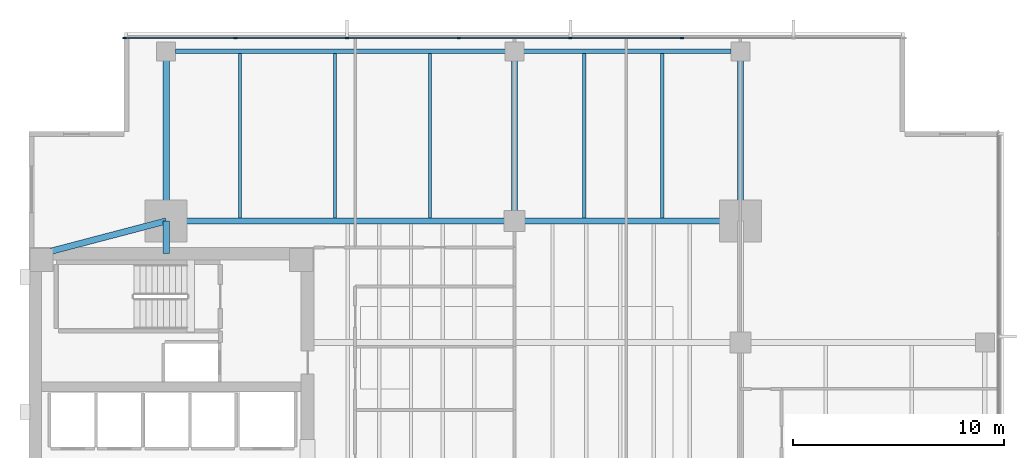
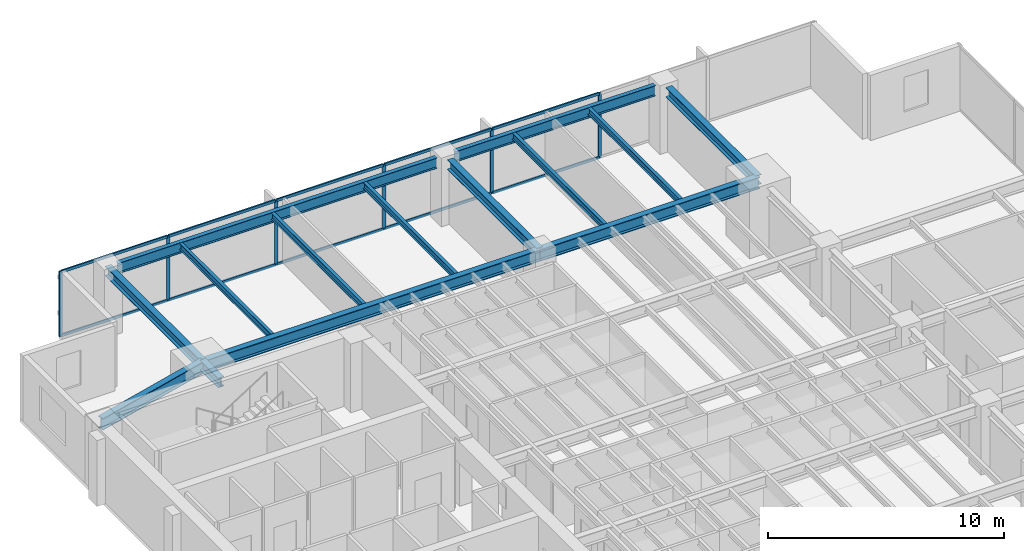
# One storey, part 5 of 14: 16 members, 14 beams, 1 element without a shape of its own.
"""IFC4 building model written with IfcOpenShell, lengths in metres."""

from ifc_helpers import new_model, si_unit, direction, frame, origin, origin_2d, place, context, subcontext, project, spatial, rectangle, i_section, extrude, material, layer, layer_set, material_profile, profile_set, type_object, element, aggregate, save


model = new_model("IFC4")

# Units and contexts
model_context = context("Model", 3, precision=1e-05, world=origin(), true_north=direction((0.0, 1.0)))
body_context = subcontext(model_context, "Body", "Model", "MODEL_VIEW")
ifc_project = project(units=[si_unit("LENGTHUNIT", "METRE"), si_unit("AREAUNIT", "SQUARE_METRE"), si_unit("VOLUMEUNIT", "CUBIC_METRE"), si_unit("PLANEANGLEUNIT", "RADIAN"), si_unit("MASSUNIT", "GRAM", prefix="KILO")], contexts=[model_context])

# Site, building, storey
site_placement = place(None, origin())
site = spatial("IfcSite", under=ifc_project, at=site_placement, CompositionType="ELEMENT")
building_placement = place(site_placement, origin())
building = spatial("IfcBuilding", under=site, at=building_placement, Name="Kinhvarn Gate Tower", CompositionType="ELEMENT")
storey_placement = place(building_placement, frame((0.0, 0.0, 166.14990234375)))
storey = spatial("IfcBuildingStorey", under=building, at=storey_placement, Name="L44", CompositionType="ELEMENT", Elevation=166.14990234375)

# Curtain wall, members
ifc_material_1 = material(Name="Anodised aluminium AW-6063", Category="aluminium")
ifc_layer = layer(ifc_material_1, 0.179931640625)
ifc_layer_set = layer_set([ifc_layer], Name="Anodised aluminium AW-6063")
curtain_wall_type = type_object("IfcCurtainWallType", Name="CW-SYS-3", PredefinedType="NOTDEFINED", material=ifc_layer_set)
curtain_wall_placement = place(storey_placement, origin())
curtain_wall = element("IfcCurtainWall", 1, at=curtain_wall_placement, inside=storey, type_object=curtain_wall_type, Name="Curtain Wall CW3 (L44)", PredefinedType="NOTDEFINED")
ifc_material_profile_1 = material_profile(ifc_material_1, rectangle(XDim=0.06494140625, YDim=0.159912109375, at=origin_2d()), Name="ALU 65x160")
ifc_profile_set_1 = profile_set([ifc_material_profile_1], Name="Anodised aluminium AW-6063")
member_type_1 = type_object("IfcMemberType", Name="CW-MUL-160", PredefinedType="MULLION", material=ifc_profile_set_1)
member_1_placement = place(storey_placement, frame((35.428466796875, 46.409912109375, 0.0), z_axis=(0.0, 0.0, 1.0), x_axis=(0.0, -1.0, 0.0)))
member_1 = element("IfcMember", 2, at=member_1_placement, type_object=member_type_1, Name="CW3 mullion 3", PredefinedType="MULLION", context=body_context, shape_type="SweptSolid", body=[
    extrude(rectangle(XDim=0.06494140625, YDim=0.159912109375, at=origin_2d()), origin(), (0.0, 0.0, 1.0), 3.3701171875),
])
member_2_placement = place(storey_placement, frame((30.142822265625, 46.409912109375, 0.0), z_axis=(0.0, 0.0, 1.0), x_axis=(0.0, -1.0, 0.0)))
member_2 = element("IfcMember", 3, at=member_2_placement, type_object=member_type_1, Name="CW3 mullion 4", PredefinedType="MULLION", context=body_context, shape_type="SweptSolid", body=[
    extrude(rectangle(XDim=0.06494140625, YDim=0.159912109375, at=origin_2d()), origin(), (0.0, 0.0, 1.0), 3.3701171875),
])
member_3_placement = place(storey_placement, frame((24.857177734375, 46.409912109375, 0.0), z_axis=(0.0, 0.0, 1.0), x_axis=(0.0, -1.0, 0.0)))
member_3 = element("IfcMember", 4, at=member_3_placement, type_object=member_type_1, Name="CW3 mullion 5", PredefinedType="MULLION", context=body_context, shape_type="SweptSolid", body=[
    extrude(rectangle(XDim=0.06494140625, YDim=0.159912109375, at=origin_2d()), origin(), (0.0, 0.0, 1.0), 3.3701171875),
])
member_4_placement = place(storey_placement, frame((19.571533203125, 46.409912109375, 0.0), z_axis=(0.0, 0.0, 1.0), x_axis=(0.0, -1.0, 0.0)))
member_4 = element("IfcMember", 5, at=member_4_placement, type_object=member_type_1, Name="CW3 mullion 6", PredefinedType="MULLION", context=body_context, shape_type="SweptSolid", body=[
    extrude(rectangle(XDim=0.06494140625, YDim=0.159912109375, at=origin_2d()), origin(), (0.0, 0.0, 1.0), 3.3701171875),
])
member_5_placement = place(storey_placement, frame((14.28564453125, 46.409912109375, 0.0), z_axis=(0.0, 0.0, 1.0), x_axis=(0.0, -1.0, 0.0)))
member_5 = element("IfcMember", 6, at=member_5_placement, type_object=member_type_1, Name="CW3 mullion 7", PredefinedType="MULLION", context=body_context, shape_type="SweptSolid", body=[
    extrude(rectangle(XDim=0.06494140625, YDim=0.159912109375, at=origin_2d()), origin(), (0.0, 0.0, 1.0), 3.3701171875),
])
member_6_placement = place(storey_placement, frame((9.032470703125, 46.409912109375, 0.0), z_axis=(0.0, 0.0, 1.0), x_axis=(0.0, -1.0, 0.0)))
member_6 = element("IfcMember", 7, at=member_6_placement, type_object=member_type_1, Name="CW3 mullion 8", PredefinedType="MULLION", context=body_context, shape_type="SweptSolid", body=[
    extrude(rectangle(XDim=0.06494140625, YDim=0.159912109375, at=origin_2d()), origin(), (0.0, 0.0, 1.0), 3.3701171875),
])
ifc_material_profile_2 = material_profile(ifc_material_1, rectangle(XDim=0.070068359375, YDim=0.139892578125, at=origin_2d()), Name="ALU 70x140")
ifc_profile_set_2 = profile_set([ifc_material_profile_2], Name="Anodised aluminium AW-6063")
member_type_2 = type_object("IfcMemberType", Name="CW-TRN-140", PredefinedType="USERDEFINED", material=ifc_profile_set_2)
member_7_placement = place(storey_placement, frame((35.39599609375, 46.409912109375, 0.03515625), z_axis=(-1.0, 0.0, 0.0), x_axis=(0.0, -1.0, 0.0)))
member_7 = element("IfcMember", 8, at=member_7_placement, type_object=member_type_2, Name="CW3 transom 3.1", ObjectType="TRANSOM", PredefinedType="USERDEFINED", context=body_context, shape_type="SweptSolid", body=[
    extrude(rectangle(XDim=0.070068359375, YDim=0.139892578125, at=origin_2d()), origin(), (0.0, 0.0, 1.0), 5.220703125),
])
member_8_placement = place(storey_placement, frame((35.39599609375, 46.409912109375, 3.335205078125), z_axis=(-1.0, 0.0, 0.0), x_axis=(0.0, -1.0, 0.0)))
member_8 = element("IfcMember", 9, at=member_8_placement, type_object=member_type_2, Name="CW3 transom 3.2", ObjectType="TRANSOM", PredefinedType="USERDEFINED", context=body_context, shape_type="SweptSolid", body=[
    extrude(rectangle(XDim=0.070068359375, YDim=0.139892578125, at=origin_2d()), origin(), (0.0, 0.0, 1.0), 5.220703125),
])
member_9_placement = place(storey_placement, frame((30.1103515625, 46.409912109375, 0.03515625), z_axis=(-1.0, 0.0, 0.0), x_axis=(0.0, -1.0, 0.0)))
member_9 = element("IfcMember", 10, at=member_9_placement, type_object=member_type_2, Name="CW3 transom 4.1", ObjectType="TRANSOM", PredefinedType="USERDEFINED", context=body_context, shape_type="SweptSolid", body=[
    extrude(rectangle(XDim=0.070068359375, YDim=0.139892578125, at=origin_2d()), origin(), (0.0, 0.0, 1.0), 5.220703125),
])
member_10_placement = place(storey_placement, frame((30.1103515625, 46.409912109375, 3.335205078125), z_axis=(-1.0, 0.0, 0.0), x_axis=(0.0, -1.0, 0.0)))
member_10 = element("IfcMember", 11, at=member_10_placement, type_object=member_type_2, Name="CW3 transom 4.2", ObjectType="TRANSOM", PredefinedType="USERDEFINED", context=body_context, shape_type="SweptSolid", body=[
    extrude(rectangle(XDim=0.070068359375, YDim=0.139892578125, at=origin_2d()), origin(), (0.0, 0.0, 1.0), 5.220703125),
])
member_11_placement = place(storey_placement, frame((24.82470703125, 46.409912109375, 0.03515625), z_axis=(-1.0, 0.0, 0.0), x_axis=(0.0, -1.0, 0.0)))
member_11 = element("IfcMember", 12, at=member_11_placement, type_object=member_type_2, Name="CW3 transom 5.1", ObjectType="TRANSOM", PredefinedType="USERDEFINED", context=body_context, shape_type="SweptSolid", body=[
    extrude(rectangle(XDim=0.070068359375, YDim=0.139892578125, at=origin_2d()), origin(), (0.0, 0.0, 1.0), 5.220703125),
])
member_12_placement = place(storey_placement, frame((24.82470703125, 46.409912109375, 3.335205078125), z_axis=(-1.0, 0.0, 0.0), x_axis=(0.0, -1.0, 0.0)))
member_12 = element("IfcMember", 13, at=member_12_placement, type_object=member_type_2, Name="CW3 transom 5.2", ObjectType="TRANSOM", PredefinedType="USERDEFINED", context=body_context, shape_type="SweptSolid", body=[
    extrude(rectangle(XDim=0.070068359375, YDim=0.139892578125, at=origin_2d()), origin(), (0.0, 0.0, 1.0), 5.220703125),
])
member_13_placement = place(storey_placement, frame((19.538818359375, 46.409912109375, 0.03515625), z_axis=(-1.0, 0.0, 0.0), x_axis=(0.0, -1.0, 0.0)))
member_13 = element("IfcMember", 14, at=member_13_placement, type_object=member_type_2, Name="CW3 transom 6.1", ObjectType="TRANSOM", PredefinedType="USERDEFINED", context=body_context, shape_type="SweptSolid", body=[
    extrude(rectangle(XDim=0.070068359375, YDim=0.139892578125, at=origin_2d()), origin(), (0.0, 0.0, 1.0), 5.220703125),
])
member_14_placement = place(storey_placement, frame((19.538818359375, 46.409912109375, 3.335205078125), z_axis=(-1.0, 0.0, 0.0), x_axis=(0.0, -1.0, 0.0)))
member_14 = element("IfcMember", 15, at=member_14_placement, type_object=member_type_2, Name="CW3 transom 6.2", ObjectType="TRANSOM", PredefinedType="USERDEFINED", context=body_context, shape_type="SweptSolid", body=[
    extrude(rectangle(XDim=0.070068359375, YDim=0.139892578125, at=origin_2d()), origin(), (0.0, 0.0, 1.0), 5.220703125),
])
member_15_placement = place(storey_placement, frame((14.253173828125, 46.409912109375, 0.03515625), z_axis=(-1.0, 0.0, 0.0), x_axis=(0.0, -1.0, 0.0)))
member_15 = element("IfcMember", 16, at=member_15_placement, type_object=member_type_2, Name="CW3 transom 7.1", ObjectType="TRANSOM", PredefinedType="USERDEFINED", context=body_context, shape_type="SweptSolid", body=[
    extrude(rectangle(XDim=0.070068359375, YDim=0.139892578125, at=origin_2d()), origin(), (0.0, 0.0, 1.0), 5.188232421875),
])
member_16_placement = place(storey_placement, frame((14.253173828125, 46.409912109375, 3.335205078125), z_axis=(-1.0, 0.0, 0.0), x_axis=(0.0, -1.0, 0.0)))
member_16 = element("IfcMember", 17, at=member_16_placement, type_object=member_type_2, Name="CW3 transom 7.2", ObjectType="TRANSOM", PredefinedType="USERDEFINED", context=body_context, shape_type="SweptSolid", body=[
    extrude(rectangle(XDim=0.070068359375, YDim=0.139892578125, at=origin_2d()), origin(), (0.0, 0.0, 1.0), 5.188232421875),
])
aggregate(curtain_wall, [member_1, member_2, member_3, member_4, member_5, member_6, member_7, member_8, member_9, member_10, member_11, member_12, member_13, member_14, member_15, member_16])

# Beams
ifc_material_2 = material(Name="Steel S355", Category="steel")
ifc_material_profile_3 = material_profile(ifc_material_2, i_section(OverallWidth=0.300048828125, OverallDepth=0.5, WebThickness=0.014404296875, FlangeThickness=0.028076171875, at=origin_2d()), Name="HEB 500")
ifc_profile_set_3 = profile_set([ifc_material_profile_3], Name="Steel S355")
beam_type_1 = type_object("IfcBeamType", Name="STL-HEB500", PredefinedType="BEAM", material=ifc_profile_set_3)
beam_1_placement = place(storey_placement, frame((11.0, 36.199951171875, 3.1201171875), z_axis=(0.0, 1.0, 0.0), x_axis=(-1.0, 0.0, 0.0)))
element("IfcBeam", 18, at=beam_1_placement, inside=storey, type_object=beam_type_1, Name="Floor Beam PG-14 (L44 MCW-CN)", PredefinedType="BEAM", context=body_context, shape_type="SweptSolid", body=[
    extrude(i_section(OverallWidth=0.300048828125, OverallDepth=0.5, WebThickness=0.014404296875, FlangeThickness=0.028076171875, at=origin_2d()), origin(), (0.0, 0.0, 1.0), 1.550048828125),
])
beam_2_placement = place(storey_placement, frame((11.0, 37.75, 3.1201171875), z_axis=(0.0, 1.0, 0.0), x_axis=(-1.0, 0.0, 0.0)))
element("IfcBeam", 19, at=beam_2_placement, inside=storey, type_object=beam_type_1, Name="Floor Beam PG-14 (L44 MCW-N)", PredefinedType="BEAM", context=body_context, shape_type="SweptSolid", body=[
    extrude(i_section(OverallWidth=0.300048828125, OverallDepth=0.5, WebThickness=0.014404296875, FlangeThickness=0.028076171875, at=origin_2d()), origin(), (0.0, 0.0, 1.0), 8.030029296875),
])
for number, where, z_axis, x_axis, name in (
    (20, (27.5, 37.75, 3.1201171875), (0.0, 1.0, 0.0), (-1.0, 0.0, 0.0), "Floor Beam PG-14 (L44 SP27-N-TIE)"),
    (21, (38.199951171875, 37.75, 3.1201171875), (0.0, 1.0, 0.0), (-1.0, 0.0, 0.0), "Floor Beam PG-14 (L44 MCE-N)"),
):
    element("IfcBeam", number, at=place(storey_placement, frame(where, z_axis=z_axis, x_axis=x_axis)), inside=storey, type_object=beam_type_1, Name=name, PredefinedType="BEAM", context=body_context, shape_type="SweptSolid", body=[
        extrude(i_section(OverallWidth=0.300048828125, OverallDepth=0.5, WebThickness=0.014404296875, FlangeThickness=0.028076171875, at=origin_2d()), origin(), (0.0, 0.0, 1.0), 7.594970703125),
    ])
ifc_material_profile_4 = material_profile(ifc_material_2, i_section(OverallWidth=0.300048828125, OverallDepth=0.60009765625, WebThickness=0.015380859375, FlangeThickness=0.030029296875, at=origin_2d()), Name="HEB 600")
ifc_profile_set_4 = profile_set([ifc_material_profile_4], Name="Steel S355")
beam_type_2 = type_object("IfcBeamType", Name="STL-HEB600", PredefinedType="BEAM", material=ifc_profile_set_4)
beam_3_placement = place(storey_placement, frame((11.0, 37.75, 3.070068359375), z_axis=(1.0, 0.0, 0.0), x_axis=(0.0, 1.0, 0.0)))
element("IfcBeam", 22, at=beam_3_placement, inside=storey, type_object=beam_type_2, Name="Floor Beam PG-16 (L44 MG-N1)", PredefinedType="BEAM", context=body_context, shape_type="SweptSolid", body=[
    extrude(i_section(OverallWidth=0.300048828125, OverallDepth=0.60009765625, WebThickness=0.015380859375, FlangeThickness=0.030029296875, at=origin_2d()), origin(), (0.0, 0.0, 1.0), 16.5),
])
beam_4_placement = place(storey_placement, frame((27.5, 37.75, 3.070068359375), z_axis=(1.0, 0.0, 0.0), x_axis=(0.0, 1.0, 0.0)))
element("IfcBeam", 23, at=beam_4_placement, inside=storey, type_object=beam_type_2, Name="Floor Beam PG-16 (L44 MG-N2)", PredefinedType="BEAM", context=body_context, shape_type="SweptSolid", body=[
    extrude(i_section(OverallWidth=0.300048828125, OverallDepth=0.60009765625, WebThickness=0.015380859375, FlangeThickness=0.030029296875, at=origin_2d()), origin(), (0.0, 0.0, 1.0), 10.699951171875),
])
beam_5_placement = place(storey_placement, frame((5.10009765625, 36.199951171875, 3.070068359375), z_axis=(0.967177623957, 0.254101246979, 0.0), x_axis=(-0.254101246979, 0.967177623957, 0.0)))
element("IfcBeam", 24, at=beam_5_placement, inside=storey, type_object=beam_type_2, Name="Floor Beam PG-16 (L44 MG-NW-DIAG)", PredefinedType="BEAM", context=body_context, shape_type="SweptSolid", body=[
    extrude(i_section(OverallWidth=0.300048828125, OverallDepth=0.60009765625, WebThickness=0.015380859375, FlangeThickness=0.030029296875, at=origin_2d()), origin(), (0.0, 0.0, 1.0), 6.10009765625),
])
ifc_material_profile_5 = material_profile(ifc_material_2, i_section(OverallWidth=0.159912109375, OverallDepth=0.330078125, WebThickness=0.007568359375, FlangeThickness=0.011474609375, at=origin_2d()), Name="IPE 330")
ifc_profile_set_5 = profile_set([ifc_material_profile_5], Name="Steel S355")
beam_type_3 = type_object("IfcBeamType", Name="STL-IPE330", PredefinedType="JOIST", material=ifc_profile_set_5)
for number, where, z_axis, x_axis, name in (
    (25, (14.5, 37.89990234375, 3.205078125), (0.0, 1.0, 0.0), (-1.0, 0.0, 0.0), "Floor Joist SB-03 (L44 JN-X145)"),
    (26, (19.0, 37.89990234375, 3.205078125), (0.0, 1.0, 0.0), (-1.0, 0.0, 0.0), "Floor Joist SB-03 (L44 JN-X190)"),
    (27, (23.5, 37.89990234375, 3.205078125), (0.0, 1.0, 0.0), (-1.0, 0.0, 0.0), "Floor Joist SB-03 (L44 JN-X235)"),
    (28, (30.800048828125, 37.89990234375, 3.205078125), (0.0, 1.0, 0.0), (-1.0, 0.0, 0.0), "Floor Joist SB-03 (L44 JN-X308)"),
    (29, (34.5, 37.89990234375, 3.205078125), (0.0, 1.0, 0.0), (-1.0, 0.0, 0.0), "Floor Joist SB-03 (L44 JN-X345)"),
):
    element("IfcBeam", number, at=place(storey_placement, frame(where, z_axis=z_axis, x_axis=x_axis)), inside=storey, type_object=beam_type_3, Name=name, PredefinedType="JOIST", context=body_context, shape_type="SweptSolid", body=[
        extrude(i_section(OverallWidth=0.159912109375, OverallDepth=0.330078125, WebThickness=0.007568359375, FlangeThickness=0.011474609375, at=origin_2d()), origin(), (0.0, 0.0, 1.0), 7.775146484375),
    ])
ifc_material_profile_6 = material_profile(ifc_material_2, i_section(OverallWidth=0.2099609375, OverallDepth=0.550048828125, WebThickness=0.010986328125, FlangeThickness=0.01708984375, at=origin_2d()), Name="IPE 550")
ifc_profile_set_6 = profile_set([ifc_material_profile_6], Name="Steel S355")
beam_type_4 = type_object("IfcBeamType", Name="STL-IPE550", PredefinedType="SPANDREL", material=ifc_profile_set_6)
beam_6_placement = place(storey_placement, frame((11.43505859375, 45.780029296875, 3.09521484375), z_axis=(1.0, 0.0, 0.0), x_axis=(0.0, 1.0, 0.0)))
element("IfcBeam", 30, at=beam_6_placement, inside=storey, type_object=beam_type_4, Name="Floor Spandrel SB-08 (L44 SP-N1)", PredefinedType="SPANDREL", context=body_context, shape_type="SweptSolid", body=[
    extrude(i_section(OverallWidth=0.2099609375, OverallDepth=0.550048828125, WebThickness=0.010986328125, FlangeThickness=0.01708984375, at=origin_2d()), origin(), (0.0, 0.0, 1.0), 15.6298828125),
])
beam_7_placement = place(storey_placement, frame((27.93505859375, 45.780029296875, 3.09521484375), z_axis=(1.0, 0.0, 0.0), x_axis=(0.0, 1.0, 0.0)))
element("IfcBeam", 31, at=beam_7_placement, inside=storey, type_object=beam_type_4, Name="Floor Spandrel SB-08 (L44 SP-N2)", PredefinedType="SPANDREL", context=body_context, shape_type="SweptSolid", body=[
    extrude(i_section(OverallWidth=0.2099609375, OverallDepth=0.550048828125, WebThickness=0.010986328125, FlangeThickness=0.01708984375, at=origin_2d()), origin(), (0.0, 0.0, 1.0), 9.829833984375),
])

save(model, "model.ifc")
